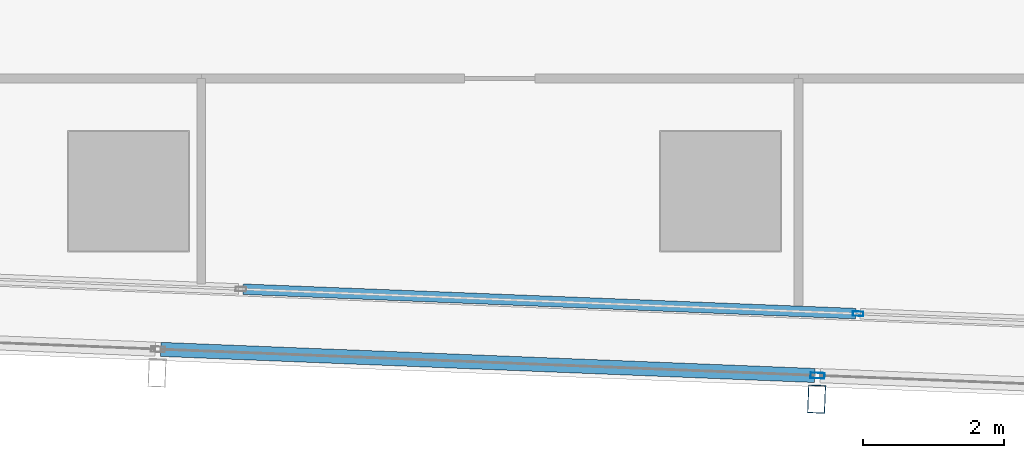
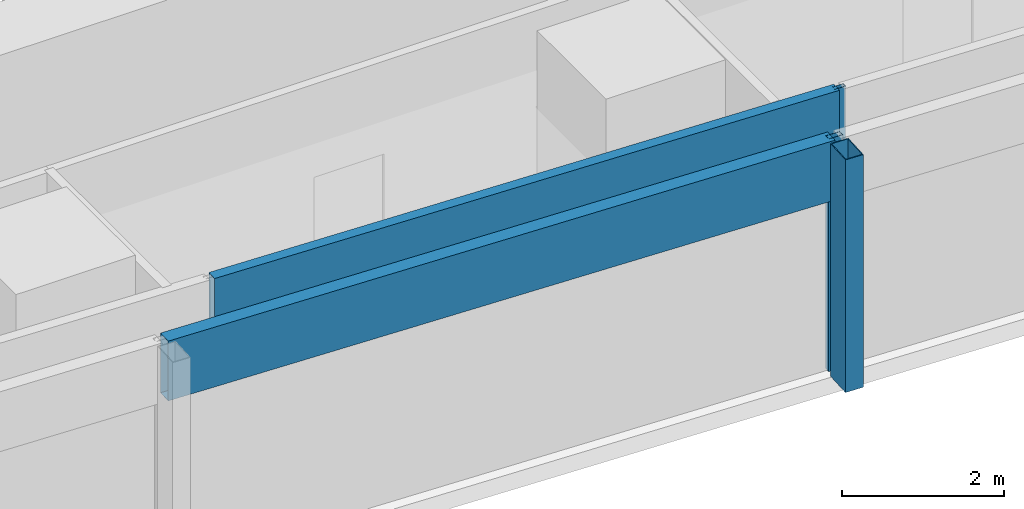
# One storey, part 7 of 39: 5 members, 2 elements without a shape of their own.
"""IFC4 building model written with IfcOpenShell, lengths in metres."""

from ifc_helpers import new_model, si_unit, direction, frame, origin, origin_2d, place, context, subcontext, project, spatial, hollow_rectangle, extrude, material, material_profile, profile_set, type_object, element, aggregate, save


model = new_model("IFC4")

# Units and contexts
model_context = context("Model", 3, precision=1e-05, world=origin(), true_north=direction((0.0, 1.0)))
body_context = subcontext(model_context, "Body", "Model", "MODEL_VIEW")
ifc_project = project(units=[si_unit("LENGTHUNIT", "METRE"), si_unit("AREAUNIT", "SQUARE_METRE"), si_unit("VOLUMEUNIT", "CUBIC_METRE"), si_unit("PLANEANGLEUNIT", "RADIAN"), si_unit("MASSUNIT", "GRAM", prefix="KILO")], contexts=[model_context])

# Site, building, storey
site_placement = place(None, origin())
site = spatial("IfcSite", under=ifc_project, at=site_placement, CompositionType="ELEMENT")
building_placement = place(site_placement, origin())
building = spatial("IfcBuilding", under=site, at=building_placement, Name="Rekha Terrace Tower", CompositionType="ELEMENT")
storey_placement = place(building_placement, frame((0.0, 0.0, 183.949951171875)))
storey = spatial("IfcBuildingStorey", under=building, at=storey_placement, Name="L46", CompositionType="ELEMENT", Elevation=183.949951171875)

# Curtain wall, member
ifc_material_1 = material(Name="Aluminium framing", Category="aluminium")
curtain_wall_type_1 = type_object("IfcCurtainWallType", Name="CW2 double skin outer glazing", PredefinedType="USERDEFINED", material=ifc_material_1)
curtain_wall_1_placement = place(storey_placement, origin())
curtain_wall_1 = element("IfcCurtainWall", 1, at=curtain_wall_1_placement, inside=storey, type_object=curtain_wall_type_1, Name="CW2 double skin outer glazing", ObjectType="DOUBLE SKIN OUTER GLAZING", PredefinedType="USERDEFINED")
ifc_material_2 = material(Name="Steel S355 with fluorocarbon finish", Category="steel")
ifc_material_profile_1 = material_profile(ifc_material_2, hollow_rectangle(XDim=0.25, YDim=0.39990234375, WallThickness=0.012451171875, at=origin_2d()), Name="RHS400x250x12.5")
ifc_profile_set_1 = profile_set([ifc_material_profile_1], Name="Steel S355 with fluorocarbon finish")
member_type_1 = type_object("IfcMemberType", Name="BL1 facade blade RHS 400 x 250", PredefinedType="USERDEFINED", material=ifc_profile_set_1)
member_1_placement = place(storey_placement, frame((34.9638671875, 13.84912109375, 0.0), z_axis=(0.0, 0.0, 1.0), x_axis=(0.999204797763, -0.039871946621, 0.0)))
member_1 = element("IfcMember", 2, at=member_1_placement, type_object=member_type_1, Name="Facade blade", ObjectType="FACADE BLADE", PredefinedType="USERDEFINED", context=body_context, shape_type="SweptSolid", body=[
    extrude(hollow_rectangle(XDim=0.25, YDim=0.39990234375, WallThickness=0.012451171875, at=origin_2d()), origin(), (0.0, 0.0, 1.0), 3.5),
])

# Curtain wall, members
curtain_wall_type_2 = type_object("IfcCurtainWallType", Name="CW1 double skin inner glazing", PredefinedType="USERDEFINED", material=ifc_material_1)
curtain_wall_2_placement = place(storey_placement, origin())
curtain_wall_2 = element("IfcCurtainWall", 3, at=curtain_wall_2_placement, inside=storey, type_object=curtain_wall_type_2, Name="CW1 double skin inner glazing", ObjectType="DOUBLE SKIN INNER GLAZING", PredefinedType="USERDEFINED")
ifc_material_3 = material(Name="Aluminium mullion section", Category="aluminium")
ifc_material_profile_2 = material_profile(ifc_material_3, hollow_rectangle(XDim=0.06494140625, YDim=0.14990234375, WallThickness=0.00390625, at=origin_2d()), Name="AL RHS 65x150")
ifc_profile_set_2 = profile_set([ifc_material_profile_2], Name="Aluminium mullion section")
member_type_2 = type_object("IfcMemberType", Name="CW1 mullion RHS 65 x 150", PredefinedType="MULLION", material=ifc_profile_set_2)
member_2_placement = place(storey_placement, frame((35.55224609375, 15.0615234375, 0.0), z_axis=(0.0, 0.0, 1.0), x_axis=(0.039872497044, 0.999204775799, 0.0)))
member_2 = element("IfcMember", 4, at=member_2_placement, type_object=member_type_2, Name="CW1 mullion 4", PredefinedType="MULLION", context=body_context, shape_type="SweptSolid", body=[
    extrude(hollow_rectangle(XDim=0.06494140625, YDim=0.14990234375, WallThickness=0.00390625, at=origin_2d()), origin(), (0.0, 0.0, 1.0), 3.5),
])
ifc_material_4 = material(Name="Insulated aluminium spandrel box", Category="aluminium")
ifc_material_profile_3 = material_profile(ifc_material_4, hollow_rectangle(XDim=0.14990234375, YDim=0.89990234375, WallThickness=0.0029296875, at=origin_2d()), Name="AL SPANDREL BOX 150x900")
ifc_profile_set_3 = profile_set([ifc_material_profile_3], Name="Insulated aluminium spandrel box")
member_type_3 = type_object("IfcMemberType", Name="CW1 spandrel transom 150 x 900", PredefinedType="USERDEFINED", material=ifc_profile_set_3)
member_3_placement = place(storey_placement, frame((26.8251953125, 15.40966796875, 3.050048828125), z_axis=(0.999204898015, -0.039869434198, 0.0), x_axis=(0.039869434198, 0.999204898015, 0.0)))
member_3 = element("IfcMember", 5, at=member_3_placement, type_object=member_type_3, Name="CW1 spandrel transom 3", ObjectType="TRANSOM", PredefinedType="USERDEFINED", context=body_context, shape_type="SweptSolid", body=[
    extrude(hollow_rectangle(XDim=0.14990234375, YDim=0.89990234375, WallThickness=0.0029296875, at=origin_2d()), origin(), (0.0, 0.0, 1.0), 8.701416015625),
])
aggregate(curtain_wall_2, [member_2, member_3])

# Member
ifc_material_profile_4 = material_profile(ifc_material_3, hollow_rectangle(XDim=0.080078125, YDim=0.199951171875, WallThickness=0.00390625, at=origin_2d()), Name="AL RHS 80x200")
ifc_profile_set_4 = profile_set([ifc_material_profile_4], Name="Aluminium mullion section")
member_type_4 = type_object("IfcMemberType", Name="CW2 mullion RHS 80 x 200", PredefinedType="MULLION", material=ifc_profile_set_4)
member_4_placement = place(storey_placement, frame((34.97705078125, 14.183837890625, 0.0), z_axis=(0.0, 0.0, 1.0), x_axis=(0.039872497044, 0.999204775799, 0.0)))
member_4 = element("IfcMember", 6, at=member_4_placement, type_object=member_type_4, Name="CW2 mullion 4", PredefinedType="MULLION", context=body_context, shape_type="SweptSolid", body=[
    extrude(hollow_rectangle(XDim=0.080078125, YDim=0.199951171875, WallThickness=0.00390625, at=origin_2d()), origin(), (0.0, 0.0, 1.0), 3.5),
])

ifc_material_profile_5 = material_profile(ifc_material_4, hollow_rectangle(XDim=0.199951171875, YDim=0.89990234375, WallThickness=0.0029296875, at=origin_2d()), Name="AL SPANDREL BOX 200x900")
ifc_profile_set_5 = profile_set([ifc_material_profile_5], Name="Insulated aluminium spandrel box")
member_type_5 = type_object("IfcMemberType", Name="CW2 spandrel transom 200 x 900", PredefinedType="USERDEFINED", material=ifc_profile_set_5)
member_5_placement = place(storey_placement, frame((25.658447265625, 14.5556640625, 3.050048828125), z_axis=(0.999204356934, -0.039882992408, 0.0), x_axis=(0.039882992408, 0.999204356934, 0.0)))
member_5 = element("IfcMember", 7, at=member_5_placement, type_object=member_type_5, Name="CW2 spandrel transom 3", ObjectType="TRANSOM", PredefinedType="USERDEFINED", context=body_context, shape_type="SweptSolid", body=[
    extrude(hollow_rectangle(XDim=0.199951171875, YDim=0.89990234375, WallThickness=0.0029296875, at=origin_2d()), origin(), (0.0, 0.0, 1.0), 9.2861328125),
])

aggregate(curtain_wall_1, [member_4, member_5, member_1])

save(model, "model.ifc")
